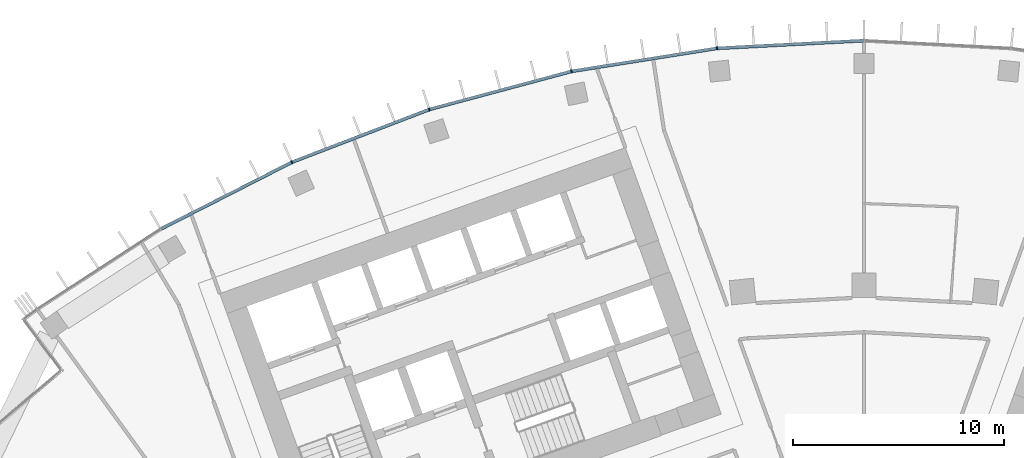
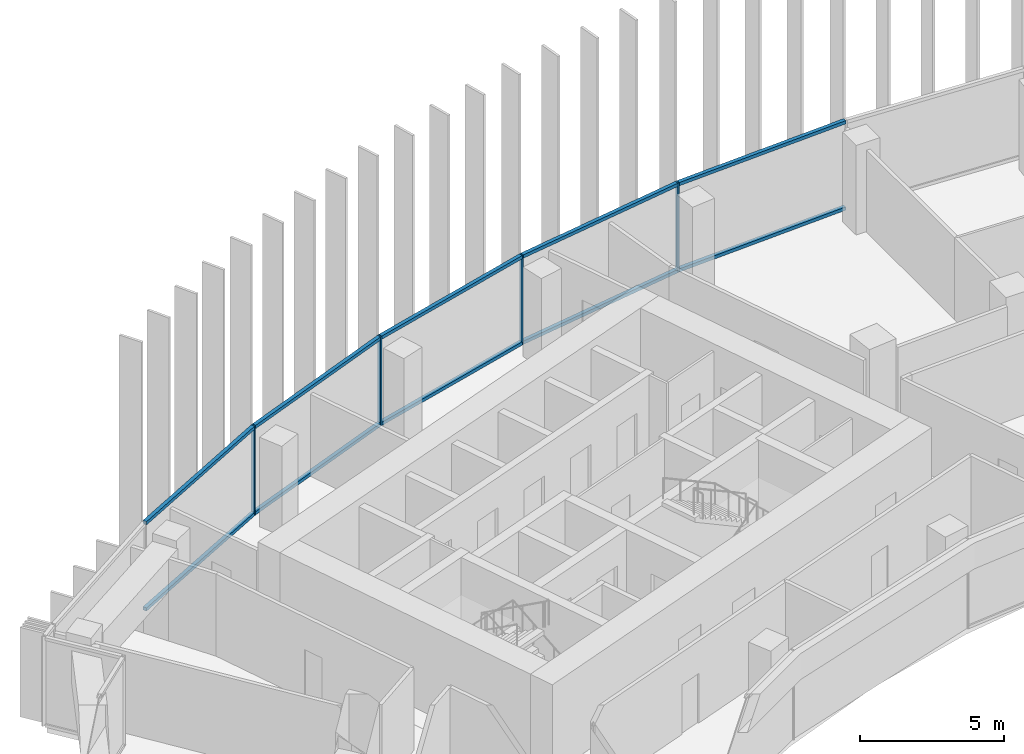
# One storey, part 6 of 19: 14 members, 1 element without a shape of its own.
"""IFC4 building model written with IfcOpenShell, lengths in metres."""

from ifc_helpers import new_model, si_unit, direction, frame, origin, origin_2d, place, context, subcontext, project, spatial, rectangle, extrude, material, layer, layer_set, material_profile, profile_set, type_object, element, aggregate, save


model = new_model("IFC4")

# Units and contexts
model_context = context("Model", 3, precision=1e-05, world=origin(), true_north=direction((0.0, 1.0)))
body_context = subcontext(model_context, "Body", "Model", "MODEL_VIEW")
ifc_project = project(units=[si_unit("LENGTHUNIT", "METRE"), si_unit("AREAUNIT", "SQUARE_METRE"), si_unit("VOLUMEUNIT", "CUBIC_METRE"), si_unit("PLANEANGLEUNIT", "RADIAN"), si_unit("MASSUNIT", "GRAM", prefix="KILO")], contexts=[model_context])

# Site, building, storey
site_placement = place(None, origin())
site = spatial("IfcSite", under=ifc_project, at=site_placement, CompositionType="ELEMENT")
building_placement = place(site_placement, origin())
building = spatial("IfcBuilding", under=site, at=building_placement, Name="Stone Belt Terrace Tower", CompositionType="ELEMENT")
storey_placement = place(building_placement, frame((0.0, 0.0, 223.800048828125)))
storey = spatial("IfcBuildingStorey", under=building, at=storey_placement, Name="L54", CompositionType="ELEMENT", Elevation=223.800048828125)

# Curtain wall, members
ifc_material = material(Name="Aluminium 6063-T6 anodised frame", Category="aluminium")
ifc_layer = layer(ifc_material, 0.14990234375)
ifc_layer_set = layer_set([ifc_layer], Name="CW-A unitised convex-face curtain wall")
curtain_wall_type = type_object("IfcCurtainWallType", Name="CW-A unitised convex-face curtain wall", PredefinedType="NOTDEFINED", material=ifc_layer_set)
curtain_wall_placement = place(storey_placement, origin())
curtain_wall = element("IfcCurtainWall", 1, at=curtain_wall_placement, inside=storey, type_object=curtain_wall_type, Name="CW-A convex face L54", PredefinedType="NOTDEFINED")
ifc_material_profile_1 = material_profile(ifc_material, rectangle(XDim=0.14990234375, YDim=0.06005859375, at=origin_2d()), Name="Aluminium 6063-T6 60x150")
ifc_profile_set_1 = profile_set([ifc_material_profile_1], Name="Aluminium 6063-T6 anodised frame")
member_type_1 = type_object("IfcMemberType", Name="CW-A mullion 60 x 150", PredefinedType="MULLION", material=ifc_profile_set_1)
member_1_placement = place(storey_placement, frame((-6.958984375, 66.21044921875, 0.0), z_axis=(0.0, 0.0, 1.0), x_axis=(0.104528463268, -0.994521895368, 0.0)))
member_1 = element("IfcMember", 2, at=member_1_placement, type_object=member_type_1, Name="CW-A mullion 10", PredefinedType="MULLION", context=body_context, shape_type="SweptSolid", body=[
    extrude(rectangle(XDim=0.14990234375, YDim=0.06005859375, at=origin_2d()), origin(), (0.0, 0.0, 1.0), 3.800048828125),
])
member_2_placement = place(storey_placement, frame((-13.841796875, 65.120361328125, 0.0), z_axis=(0.0, 0.0, 1.0), x_axis=(0.207911690818, -0.978147600734, 0.0)))
member_2 = element("IfcMember", 3, at=member_2_placement, type_object=member_type_1, Name="CW-A mullion 11", PredefinedType="MULLION", context=body_context, shape_type="SweptSolid", body=[
    extrude(rectangle(XDim=0.14990234375, YDim=0.06005859375, at=origin_2d()), origin(), (0.0, 0.0, 1.0), 3.800048828125),
])
member_3_placement = place(storey_placement, frame((-20.57275390625, 63.316650390625, 0.0), z_axis=(0.0, 0.0, 1.0), x_axis=(0.309016994375, -0.951056516295, 0.0)))
member_3 = element("IfcMember", 4, at=member_3_placement, type_object=member_type_1, Name="CW-A mullion 12", PredefinedType="MULLION", context=body_context, shape_type="SweptSolid", body=[
    extrude(rectangle(XDim=0.14990234375, YDim=0.06005859375, at=origin_2d()), origin(), (0.0, 0.0, 1.0), 3.800048828125),
])
member_4_placement = place(storey_placement, frame((-27.07861328125, 60.8193359375, 0.0), z_axis=(0.0, 0.0, 1.0), x_axis=(0.406736643076, -0.913545457643, 0.0)))
member_4 = element("IfcMember", 5, at=member_4_placement, type_object=member_type_1, Name="CW-A mullion 13", PredefinedType="MULLION", context=body_context, shape_type="SweptSolid", body=[
    extrude(rectangle(XDim=0.14990234375, YDim=0.06005859375, at=origin_2d()), origin(), (0.0, 0.0, 1.0), 3.800048828125),
])
ifc_material_profile_2 = material_profile(ifc_material, rectangle(XDim=0.14990234375, YDim=0.139892578125, at=origin_2d()), Name="Aluminium 6063-T6 150x140")
ifc_profile_set_2 = profile_set([ifc_material_profile_2], Name="Aluminium 6063-T6 anodised frame")
member_type_2 = type_object("IfcMemberType", Name="CW-A transom 140 x 150", PredefinedType="USERDEFINED", material=ifc_profile_set_2)
member_5_placement = place(storey_placement, frame((-0.033935546875, 66.5732421875, 0.070068359375), z_axis=(-0.998630019135, -0.052326712899, 0.0), x_axis=(0.052326712899, -0.998630019135, 0.0)))
member_5 = element("IfcMember", 6, at=member_5_placement, type_object=member_type_2, Name="CW-A transom 9.1", ObjectType="TRANSOM", PredefinedType="USERDEFINED", context=body_context, shape_type="SweptSolid", body=[
    extrude(rectangle(XDim=0.14990234375, YDim=0.139892578125, at=origin_2d()), origin(), (0.0, 0.0, 1.0), 6.900634765625),
])
member_6_placement = place(storey_placement, frame((-0.033935546875, 66.5732421875, 3.72998046875), z_axis=(-0.998630019135, -0.052326712899, 0.0), x_axis=(0.052326712899, -0.998630019135, 0.0)))
member_6 = element("IfcMember", 7, at=member_6_placement, type_object=member_type_2, Name="CW-A transom 9.2", ObjectType="TRANSOM", PredefinedType="USERDEFINED", context=body_context, shape_type="SweptSolid", body=[
    extrude(rectangle(XDim=0.14990234375, YDim=0.139892578125, at=origin_2d()), origin(), (0.0, 0.0, 1.0), 6.900634765625),
])
member_7_placement = place(storey_placement, frame((-6.992431640625, 66.205078125, 0.070068359375), z_axis=(-0.987687120531, -0.156442168027, 0.0), x_axis=(0.156442168027, -0.987687120531, 0.0)))
member_7 = element("IfcMember", 8, at=member_7_placement, type_object=member_type_2, Name="CW-A transom 10.1", ObjectType="TRANSOM", PredefinedType="USERDEFINED", context=body_context, shape_type="SweptSolid", body=[
    extrude(rectangle(XDim=0.14990234375, YDim=0.139892578125, at=origin_2d()), origin(), (0.0, 0.0, 1.0), 6.90087890625),
])
member_8_placement = place(storey_placement, frame((-6.992431640625, 66.205078125, 3.72998046875), z_axis=(-0.987687120531, -0.156442168027, 0.0), x_axis=(0.156442168027, -0.987687120531, 0.0)))
member_8 = element("IfcMember", 9, at=member_8_placement, type_object=member_type_2, Name="CW-A transom 10.2", ObjectType="TRANSOM", PredefinedType="USERDEFINED", context=body_context, shape_type="SweptSolid", body=[
    extrude(rectangle(XDim=0.14990234375, YDim=0.139892578125, at=origin_2d()), origin(), (0.0, 0.0, 1.0), 6.90087890625),
])
member_9_placement = place(storey_placement, frame((-13.87451171875, 65.111572265625, 0.070068359375), z_axis=(-0.965921835863, -0.258833937117, 0.0), x_axis=(0.258833937117, -0.965921835863, 0.0)))
member_9 = element("IfcMember", 10, at=member_9_placement, type_object=member_type_2, Name="CW-A transom 11.1", ObjectType="TRANSOM", PredefinedType="USERDEFINED", context=body_context, shape_type="SweptSolid", body=[
    extrude(rectangle(XDim=0.14990234375, YDim=0.139892578125, at=origin_2d()), origin(), (0.0, 0.0, 1.0), 6.900634765625),
])
member_10_placement = place(storey_placement, frame((-13.87451171875, 65.111572265625, 3.72998046875), z_axis=(-0.965921835863, -0.258833937117, 0.0), x_axis=(0.258833937117, -0.965921835863, 0.0)))
member_10 = element("IfcMember", 11, at=member_10_placement, type_object=member_type_2, Name="CW-A transom 11.2", ObjectType="TRANSOM", PredefinedType="USERDEFINED", context=body_context, shape_type="SweptSolid", body=[
    extrude(rectangle(XDim=0.14990234375, YDim=0.139892578125, at=origin_2d()), origin(), (0.0, 0.0, 1.0), 6.900634765625),
])
member_11_placement = place(storey_placement, frame((-20.6044921875, 63.304443359375, 0.070068359375), z_axis=(-0.933585210269, -0.358355487146, 0.0), x_axis=(0.358355487146, -0.933585210269, 0.0)))
member_11 = element("IfcMember", 12, at=member_11_placement, type_object=member_type_2, Name="CW-A transom 12.1", ObjectType="TRANSOM", PredefinedType="USERDEFINED", context=body_context, shape_type="SweptSolid", body=[
    extrude(rectangle(XDim=0.14990234375, YDim=0.139892578125, at=origin_2d()), origin(), (0.0, 0.0, 1.0), 6.900634765625),
])
member_12_placement = place(storey_placement, frame((-20.6044921875, 63.304443359375, 3.72998046875), z_axis=(-0.933585210269, -0.358355487146, 0.0), x_axis=(0.358355487146, -0.933585210269, 0.0)))
member_12 = element("IfcMember", 13, at=member_12_placement, type_object=member_type_2, Name="CW-A transom 12.2", ObjectType="TRANSOM", PredefinedType="USERDEFINED", context=body_context, shape_type="SweptSolid", body=[
    extrude(rectangle(XDim=0.14990234375, YDim=0.139892578125, at=origin_2d()), origin(), (0.0, 0.0, 1.0), 6.900634765625),
])
member_13_placement = place(storey_placement, frame((-27.108642578125, 60.803955078125, 0.070068359375), z_axis=(-0.891012226264, -0.453979308613, 0.0), x_axis=(0.453979308613, -0.891012226264, 0.0)))
member_13 = element("IfcMember", 14, at=member_13_placement, type_object=member_type_2, Name="CW-A transom 13.1", ObjectType="TRANSOM", PredefinedType="USERDEFINED", context=body_context, shape_type="SweptSolid", body=[
    extrude(rectangle(XDim=0.14990234375, YDim=0.139892578125, at=origin_2d()), origin(), (0.0, 0.0, 1.0), 6.90087890625),
])
member_14_placement = place(storey_placement, frame((-27.108642578125, 60.803955078125, 3.72998046875), z_axis=(-0.891012226264, -0.453979308613, 0.0), x_axis=(0.453979308613, -0.891012226264, 0.0)))
member_14 = element("IfcMember", 15, at=member_14_placement, type_object=member_type_2, Name="CW-A transom 13.2", ObjectType="TRANSOM", PredefinedType="USERDEFINED", context=body_context, shape_type="SweptSolid", body=[
    extrude(rectangle(XDim=0.14990234375, YDim=0.139892578125, at=origin_2d()), origin(), (0.0, 0.0, 1.0), 6.90087890625),
])
aggregate(curtain_wall, [member_1, member_2, member_3, member_4, member_5, member_6, member_7, member_8, member_9, member_10, member_11, member_12, member_13, member_14])

save(model, "model.ifc")
